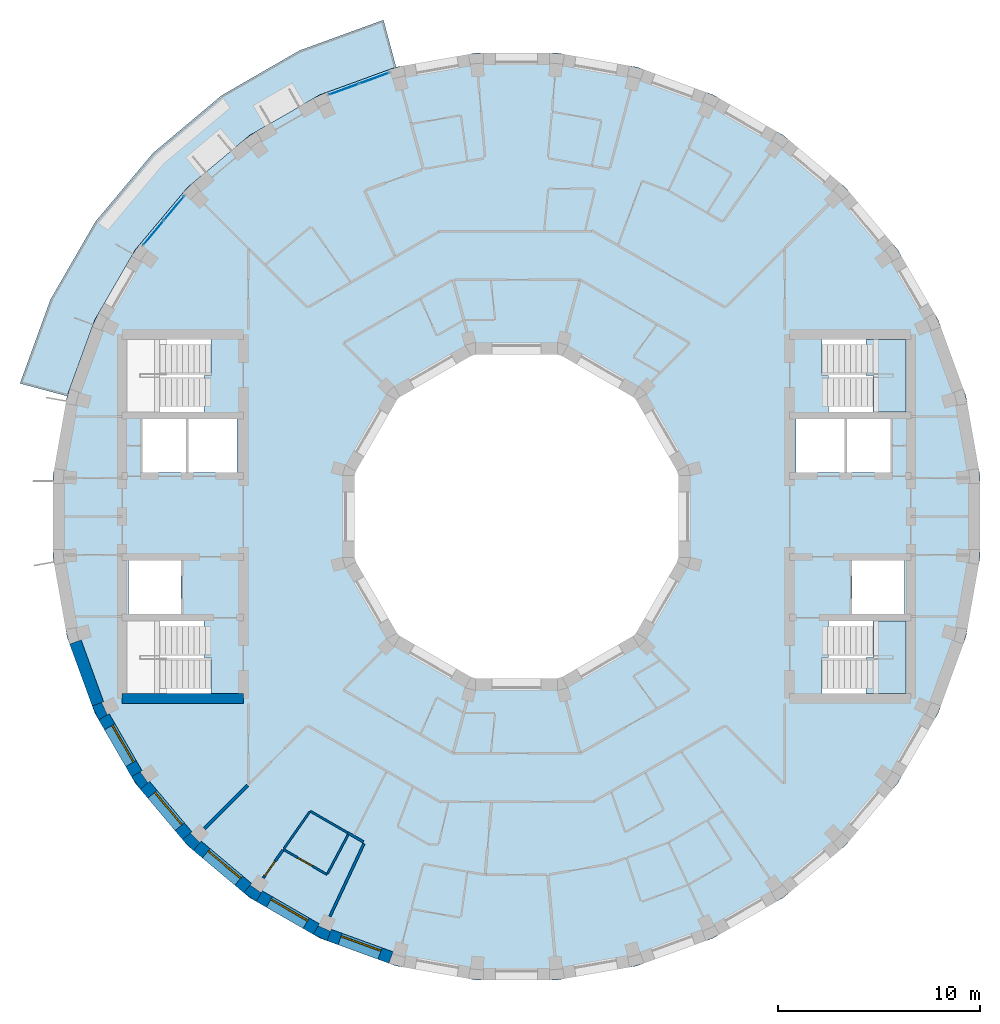
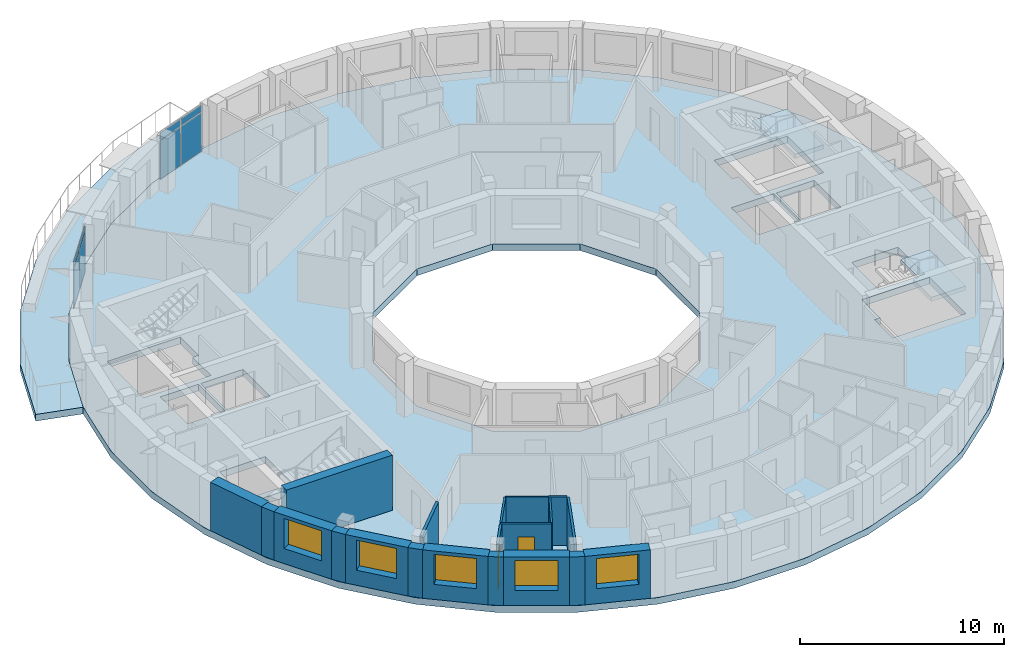
# One storey, part 3 of 12: 20 walls, 8 plates, 5 windows, 4 slabs, 2 doors, 7 openings, 4 elements without a shape of their own.
"""IFC4 building model written with IfcOpenShell, lengths in metres."""

from ifc_helpers import new_model, si_unit, direction, frame, frame_2d, origin, origin_2d, place, context, subcontext, project, spatial, polyline, rectangle, outline, extrude, material, layer, layer_set, type_object, element, fill, aggregate, save


model = new_model("IFC4")

# Units and contexts
model_context = context("Model", 3, precision=1e-05, world=origin(), true_north=direction((0.0, 1.0)))
body_context = subcontext(model_context, "Body", "Model", "MODEL_VIEW")
ifc_project = project(units=[si_unit("LENGTHUNIT", "METRE"), si_unit("AREAUNIT", "SQUARE_METRE"), si_unit("VOLUMEUNIT", "CUBIC_METRE"), si_unit("PLANEANGLEUNIT", "RADIAN"), si_unit("MASSUNIT", "GRAM", prefix="KILO")], contexts=[model_context])

# Site, building, storey
site_placement = place(None, origin())
site = spatial("IfcSite", under=ifc_project, at=site_placement, CompositionType="ELEMENT")
building_placement = place(site_placement, origin())
building = spatial("IfcBuilding", under=site, at=building_placement, Name="Saqina Gate Tower", CompositionType="ELEMENT")
storey_placement = place(building_placement, frame((0.0, 0.0, 236.300048828125)))
storey = spatial("IfcBuildingStorey", under=building, at=storey_placement, Name="L67", CompositionType="ELEMENT", Elevation=236.300048828125)

# Curtain wall, plates
ifc_material_1 = material(Name="Aluminium glazing", Category="aluminium")
ifc_layer_1 = layer(ifc_material_1, 0.159912109375)
ifc_layer_set_1 = layer_set([ifc_layer_1], Name="CWT-4")
curtain_wall_type = type_object("IfcCurtainWallType", Name="CWT-4", PredefinedType="NOTDEFINED", material=ifc_layer_set_1)
curtain_wall_1_placement = place(storey_placement, origin())
curtain_wall_1 = element("IfcCurtainWall", 1, at=curtain_wall_1_placement, inside=storey, type_object=curtain_wall_type, Name="Terrace lounge glazing facet 11", PredefinedType="NOTDEFINED")
ifc_material_2 = material(Name="Glass", Category="glass")
ifc_layer_2 = layer(ifc_material_2, 0.028076171875)
ifc_layer_set_2 = layer_set([ifc_layer_2], Name="CWT-4P")
plate_type = type_object("IfcPlateType", Name="CWT-4P", PredefinedType="CURTAIN_PANEL", material=ifc_layer_set_2)
plate_1_placement = place(storey_placement, frame((-7.035400390625, 21.66259765625, 0.059814453125), z_axis=(0.0, 0.0, 1.0), x_axis=(-0.939697310402, -0.342007258437, 0.0)))
plate_1 = element("IfcPlate", 2, at=plate_1_placement, type_object=plate_type, Name="CW4-11 panel 1.1", PredefinedType="CURTAIN_PANEL", context=body_context, shape_type="SweptSolid", body=[
    extrude(rectangle(XDim=1.535888671875, YDim=0.028076171875, at=origin_2d()), origin(), (0.0, 0.0, 1.0), 2.31005859375),
])
plate_2_placement = place(storey_placement, frame((-7.035400390625, 21.66259765625, 2.43017578125), z_axis=(0.0, 0.0, 1.0), x_axis=(-0.939697310402, -0.342007258437, 0.0)))
plate_2 = element("IfcPlate", 3, at=plate_2_placement, type_object=plate_type, Name="CW4-11 panel 1.2", PredefinedType="CURTAIN_PANEL", context=body_context, shape_type="SweptSolid", body=[
    extrude(rectangle(XDim=1.535888671875, YDim=0.028076171875, at=origin_2d()), origin(), (0.0, 0.0, 1.0), 0.409912109375),
])
plate_3_placement = place(storey_placement, frame((-8.534912109375, 21.116943359375, 0.059814453125), z_axis=(0.0, 0.0, 1.0), x_axis=(-0.939697310402, -0.342007258437, 0.0)))
plate_3 = element("IfcPlate", 4, at=plate_3_placement, type_object=plate_type, Name="CW4-11 panel 2.1", PredefinedType="CURTAIN_PANEL", context=body_context, shape_type="SweptSolid", body=[
    extrude(rectangle(XDim=1.535888671875, YDim=0.028076171875, at=origin_2d()), origin(), (0.0, 0.0, 1.0), 2.31005859375),
])
plate_4_placement = place(storey_placement, frame((-8.534912109375, 21.116943359375, 2.43017578125), z_axis=(0.0, 0.0, 1.0), x_axis=(-0.939697310402, -0.342007258437, 0.0)))
plate_4 = element("IfcPlate", 5, at=plate_4_placement, type_object=plate_type, Name="CW4-11 panel 2.2", PredefinedType="CURTAIN_PANEL", context=body_context, shape_type="SweptSolid", body=[
    extrude(rectangle(XDim=1.535888671875, YDim=0.028076171875, at=origin_2d()), origin(), (0.0, 0.0, 1.0), 0.409912109375),
])
aggregate(curtain_wall_1, [plate_1, plate_2, plate_3, plate_4])

curtain_wall_2_placement = place(storey_placement, origin())
curtain_wall_2 = element("IfcCurtainWall", 6, at=curtain_wall_2_placement, inside=storey, type_object=curtain_wall_type, Name="Terrace lounge glazing facet 14", PredefinedType="NOTDEFINED")
plate_5_placement = place(storey_placement, frame((-16.924072265625, 15.24267578125, 0.059814453125), z_axis=(0.0, 0.0, 1.0), x_axis=(-0.642785214609, -0.766046452821, 0.0)))
plate_5 = element("IfcPlate", 7, at=plate_5_placement, type_object=plate_type, Name="CW4-14 panel 1.1", PredefinedType="CURTAIN_PANEL", context=body_context, shape_type="SweptSolid", body=[
    extrude(rectangle(XDim=1.535888671875, YDim=0.028076171875, at=origin_2d()), origin(), (0.0, 0.0, 1.0), 2.31005859375),
])
plate_6_placement = place(storey_placement, frame((-16.924072265625, 15.24267578125, 2.43017578125), z_axis=(0.0, 0.0, 1.0), x_axis=(-0.642785214609, -0.766046452821, 0.0)))
plate_6 = element("IfcPlate", 8, at=plate_6_placement, type_object=plate_type, Name="CW4-14 panel 1.2", PredefinedType="CURTAIN_PANEL", context=body_context, shape_type="SweptSolid", body=[
    extrude(rectangle(XDim=1.535888671875, YDim=0.028076171875, at=origin_2d()), origin(), (0.0, 0.0, 1.0), 0.409912109375),
])
plate_7_placement = place(storey_placement, frame((-17.949951171875, 14.020263671875, 0.059814453125), z_axis=(0.0, 0.0, 1.0), x_axis=(-0.642785214609, -0.766046452821, 0.0)))
plate_7 = element("IfcPlate", 9, at=plate_7_placement, type_object=plate_type, Name="CW4-14 panel 2.1", PredefinedType="CURTAIN_PANEL", context=body_context, shape_type="SweptSolid", body=[
    extrude(rectangle(XDim=1.535888671875, YDim=0.028076171875, at=origin_2d()), origin(), (0.0, 0.0, 1.0), 2.31005859375),
])
plate_8_placement = place(storey_placement, frame((-17.949951171875, 14.020263671875, 2.43017578125), z_axis=(0.0, 0.0, 1.0), x_axis=(-0.642785214609, -0.766046452821, 0.0)))
plate_8 = element("IfcPlate", 10, at=plate_8_placement, type_object=plate_type, Name="CW4-14 panel 2.2", PredefinedType="CURTAIN_PANEL", context=body_context, shape_type="SweptSolid", body=[
    extrude(rectangle(XDim=1.535888671875, YDim=0.028076171875, at=origin_2d()), origin(), (0.0, 0.0, 1.0), 0.409912109375),
])
aggregate(curtain_wall_2, [plate_5, plate_6, plate_7, plate_8])

# Stair, slab
ifc_material_3 = material(Name="Concrete C40/50", Category="concrete")
stair_type = type_object("IfcStairType", Name="EXIT STAIR", PredefinedType="HALF_TURN_STAIR", material=ifc_material_3)
stair_1_placement = place(storey_placement, origin())
stair_1 = element("IfcStair", 11, at=stair_1_placement, inside=storey, type_object=stair_type, Name="EXIT STAIR 1", PredefinedType="HALF_TURN_STAIR")
ifc_material_4 = material(Name="Concrete C40/50", Category="concrete")
ifc_layer_3 = layer(ifc_material_4, 0.25)
ifc_layer_set_3 = layer_set([ifc_layer_3], Name="Concrete C40/50")
slab_type_1 = type_object("IfcSlabType", Name="EXIT STAIR LANDING", PredefinedType="LANDING", material=ifc_layer_set_3)
slab_1_placement = place(storey_placement, frame((0.0, 0.0, 1.39990234375)))
slab_1 = element("IfcSlab", 12, at=slab_1_placement, type_object=slab_type_1, Name="EXIT STAIR 1 LANDING 1", PredefinedType="LANDING", context=body_context, shape_type="SweptSolid", body=[
    extrude(outline(polyline([(19.25, 8.75), (19.25, 5.175048828125), (17.614990234375, 5.175048828125), (17.614990234375, 6.96240234375), (17.284423828125, 6.96240234375), (17.284423828125, 8.75), (17.614990234375, 8.75), (17.6201171875, 8.75), (19.25, 8.75)])), origin(), (0.0, 0.0, 1.0), 0.25),
])
aggregate(stair_1, [slab_1])

stair_2_placement = place(storey_placement, origin())
stair_2 = element("IfcStair", 13, at=stair_2_placement, inside=storey, type_object=stair_type, Name="EXIT STAIR 2", PredefinedType="HALF_TURN_STAIR")
slab_2_placement = place(storey_placement, frame((0.0, 0.0, 1.39990234375)))
slab_2 = element("IfcSlab", 14, at=slab_2_placement, type_object=slab_type_1, Name="EXIT STAIR 2 LANDING 1", PredefinedType="LANDING", context=body_context, shape_type="SweptSolid", body=[
    extrude(outline(polyline([(17.284423828125, -8.75), (17.284423828125, -6.96240234375), (17.614990234375, -6.96240234375), (17.614990234375, -5.175048828125), (19.25, -5.175048828125), (19.25, -8.75), (17.6201171875, -8.75), (17.614990234375, -8.75), (17.284423828125, -8.75)])), origin(), (0.0, 0.0, 1.0), 0.25),
])
aggregate(stair_2, [slab_2])

# Slabs
ifc_material_5 = material(Name="Concrete C40/50", Category="concrete")
ifc_layer_4 = layer(ifc_material_5, 0.39990234375)
ifc_layer_set_4 = layer_set([ifc_layer_4], Name="Concrete C40/50")
slab_type_2 = type_object("IfcSlabType", Name="STR-POST-TENSIONED FLAT PLATE FLOOR-400", PredefinedType="FLOOR", material=ifc_layer_set_4)
slab_3_placement = place(storey_placement, frame((0.0, 0.0, -0.400146484375)))
element("IfcSlab", 15, at=slab_3_placement, inside=storey, type_object=slab_type_2, Name="L67-SLB01", PredefinedType="FLOOR", context=body_context, shape_type="SweptSolid", body=[
    extrude(outline(polyline([(22.21630859375, -5.952880859375), (22.91259765625, -2.004638671875), (22.91259765625, 2.004638671875), (22.21630859375, 5.952880859375), (20.844970703125, 9.72021484375), (18.840576171875, 13.192138671875), (16.263427734375, 16.263427734375), (13.192138671875, 18.840576171875), (9.72021484375, 20.844970703125), (5.952880859375, 22.21630859375), (2.004638671875, 22.91259765625), (-2.004638671875, 22.91259765625), (-5.952880859375, 22.21630859375), (-9.72021484375, 20.844970703125), (-13.192138671875, 18.840576171875), (-16.263427734375, 16.263427734375), (-18.840576171875, 13.192138671875), (-20.844970703125, 9.72021484375), (-22.21630859375, 5.952880859375), (-22.91259765625, 2.004638671875), (-22.91259765625, -2.004638671875), (-22.21630859375, -5.952880859375), (-20.844970703125, -9.72021484375), (-18.840576171875, -13.192138671875), (-16.263427734375, -16.263427734375), (-13.192138671875, -18.840576171875), (-9.72021484375, -20.844970703125), (-5.952880859375, -22.21630859375), (-2.004638671875, -22.91259765625), (2.004638671875, -22.91259765625), (5.952880859375, -22.21630859375), (9.72021484375, -20.844970703125), (13.192138671875, -18.840576171875), (16.263427734375, -16.263427734375), (18.840576171875, -13.192138671875), (20.844970703125, -9.72021484375), (22.21630859375, -5.952880859375)]), holes=[polyline([(2.1435546875, 8.0), (5.8564453125, 5.8564453125), (8.0, 2.1435546875), (8.0, -2.1435546875), (5.8564453125, -5.8564453125), (2.1435546875, -8.0), (-2.1435546875, -8.0), (-5.8564453125, -5.8564453125), (-8.0, -2.1435546875), (-8.0, 2.1435546875), (-5.8564453125, 5.8564453125), (-2.1435546875, 8.0), (2.1435546875, 8.0)]), polyline([(-15.10498046875, -8.75), (-19.25, -8.75), (-19.25, -6.96240234375), (-19.25, -5.175048828125), (-15.435546875, -5.175048828125), (-15.435546875, -6.96240234375), (-15.10498046875, -6.96240234375), (-15.10498046875, -8.75)]), polyline([(-16.590087890625, -2.175048828125), (-16.590087890625, -4.824951171875), (-19.18994140625, -4.824951171875), (-19.18994140625, -2.175048828125), (-16.590087890625, -2.175048828125)]), polyline([(-16.340087890625, 4.824951171875), (-16.340087890625, 2.175048828125), (-18.5, 2.175048828125), (-18.5, 4.824951171875), (-16.340087890625, 4.824951171875)]), polyline([(-13.81005859375, 4.824951171875), (-13.81005859375, 2.175048828125), (-16.219970703125, 2.175048828125), (-16.219970703125, 4.824951171875), (-13.81005859375, 4.824951171875)]), polyline([(-19.25, 6.96240234375), (-19.25, 8.75), (-15.10498046875, 8.75), (-15.10498046875, 6.96240234375), (-15.435546875, 6.96240234375), (-15.435546875, 5.175048828125), (-19.25, 5.175048828125), (-19.25, 6.96240234375)]), polyline([(15.10498046875, -8.75), (15.10498046875, -6.96240234375), (15.435546875, -6.96240234375), (15.435546875, -5.175048828125), (19.25, -5.175048828125), (19.25, -6.96240234375), (19.25, -8.75), (15.10498046875, -8.75)]), polyline([(19.18994140625, -2.175048828125), (19.18994140625, -4.824951171875), (16.590087890625, -4.824951171875), (16.590087890625, -2.175048828125), (19.18994140625, -2.175048828125)]), polyline([(16.219970703125, 4.824951171875), (16.219970703125, 2.175048828125), (13.81005859375, 2.175048828125), (13.81005859375, 4.824951171875), (16.219970703125, 4.824951171875)]), polyline([(18.5, 4.824951171875), (18.5, 2.175048828125), (16.340087890625, 2.175048828125), (16.340087890625, 4.824951171875), (18.5, 4.824951171875)]), polyline([(15.435546875, 6.96240234375), (15.10498046875, 6.96240234375), (15.10498046875, 8.75), (19.25, 8.75), (19.25, 6.96240234375), (19.25, 5.175048828125), (15.435546875, 5.175048828125), (15.435546875, 6.96240234375)])]), origin(), (0.0, 0.0, 1.0), 0.400146484375),
])
ifc_material_6 = material(Name="Concrete C40/50", Category="concrete")
ifc_layer_5 = layer(ifc_material_6, 0.39990234375)
ifc_layer_set_5 = layer_set([ifc_layer_5], Name="Concrete C40/50")
slab_type_3 = type_object("IfcSlabType", Name="STR-POST-TENSIONED FLAT PLATE TERRACE-400", PredefinedType="FLOOR", material=ifc_layer_set_5)
slab_4_placement = place(storey_placement, frame((0.0, 0.0, -0.400146484375)))
element("IfcSlab", 16, at=slab_4_placement, inside=storey, type_object=slab_type_3, Name="L67-TRS01", PredefinedType="FLOOR", context=body_context, shape_type="SweptSolid", body=[
    extrude(outline(polyline([(-5.952880859375, 22.21630859375), (-9.72021484375, 20.844970703125), (-13.192138671875, 18.840576171875), (-16.263427734375, 16.263427734375), (-18.840576171875, 13.192138671875), (-20.844970703125, 9.72021484375), (-22.21630859375, 5.952880859375), (-24.54345703125, 6.576416015625), (-23.028564453125, 10.73828125), (-20.81396484375, 14.57421875), (-17.967041015625, 17.967041015625), (-14.57421875, 20.81396484375), (-10.73828125, 23.028564453125), (-6.576416015625, 24.54345703125), (-5.952880859375, 22.21630859375)])), origin(), (0.0, 0.0, 1.0), 0.400146484375),
])

# Walls
ifc_material_7 = material(Name="Brick masonry (buff)", Category="masonry")
wall_type_1 = type_object("IfcWallType", Name="BRICK PIER COPING BUFF", PredefinedType="SOLIDWALL", material=ifc_material_7)
wall_1_placement = place(storey_placement, origin())
element("IfcWall", 17, at=wall_1_placement, inside=storey, type_object=wall_type_1, Name="Pier cap L67 column 21", PredefinedType="SOLIDWALL", context=body_context, shape_type="SweptSolid", body=[
    extrude(outline(polyline([(-20.974609375, -9.3642578125), (-20.65576171875, -10.048095703125), (-20.135986328125, -9.748291015625), (-20.23193359375, -9.79296875), (-20.506591796875, -9.203857421875), (-20.410888671875, -9.1591796875), (-20.974609375, -9.3642578125)])), origin(), (0.0, 0.0, 1.0), 2.89990234375),
])
wall_2_placement = place(storey_placement, origin())
element("IfcWall", 18, at=wall_2_placement, inside=storey, type_object=wall_type_1, Name="Pier cap L67 column 22", PredefinedType="SOLIDWALL", context=body_context, shape_type="SweptSolid", body=[
    extrude(outline(polyline([(-19.02978515625, -12.8642578125), (-18.59716796875, -13.482421875), (-18.137451171875, -13.0966796875), (-18.22412109375, -13.157470703125), (-18.596923828125, -12.625), (-18.51025390625, -12.564208984375), (-19.02978515625, -12.8642578125)])), origin(), (0.0, 0.0, 1.0), 2.89990234375),
])
wall_3_placement = place(storey_placement, origin())
element("IfcWall", 19, at=wall_3_placement, inside=storey, type_object=wall_type_1, Name="Pier cap L67 column 23", PredefinedType="SOLIDWALL", context=body_context, shape_type="SweptSolid", body=[
    extrude(outline(polyline([(-15.973388671875, -16.5068359375), (-15.587646484375, -16.04736328125), (-15.662353515625, -16.1220703125), (-16.1220703125, -15.662353515625), (-16.04736328125, -15.587646484375), (-16.5068359375, -15.973388671875), (-15.973388671875, -16.5068359375)])), origin(), (0.0, 0.0, 1.0), 2.89990234375),
])
wall_4_placement = place(storey_placement, origin())
element("IfcWall", 20, at=wall_4_placement, inside=storey, type_object=wall_type_1, Name="Pier cap L67 column 24", PredefinedType="SOLIDWALL", context=body_context, shape_type="SweptSolid", body=[
    extrude(outline(polyline([(-12.8642578125, -19.02978515625), (-12.564208984375, -18.51025390625), (-12.625, -18.596923828125), (-13.157470703125, -18.22412109375), (-13.0966796875, -18.137451171875), (-13.482421875, -18.59716796875), (-12.8642578125, -19.02978515625)])), origin(), (0.0, 0.0, 1.0), 2.89990234375),
])
wall_5_placement = place(storey_placement, origin())
element("IfcWall", 21, at=wall_5_placement, inside=storey, type_object=wall_type_1, Name="Pier cap L67 column 25", PredefinedType="SOLIDWALL", context=body_context, shape_type="SweptSolid", body=[
    extrude(outline(polyline([(-10.048095703125, -20.65576171875), (-9.3642578125, -20.974609375), (-9.1591796875, -20.410888671875), (-9.203857421875, -20.506591796875), (-9.79296875, -20.23193359375), (-9.748291015625, -20.135986328125), (-10.048095703125, -20.65576171875)])), origin(), (0.0, 0.0, 1.0), 2.89990234375),
])

# Wall, opening, window
ifc_material_8 = material(Name="Brick masonry (buff)", Category="masonry")
ifc_layer_6 = layer(ifc_material_8, 0.60009765625)
ifc_layer_set_6 = layer_set([ifc_layer_6], Name="FW-BRICK-BUFF")
wall_type_2 = type_object("IfcWallType", Name="FW-BRICK-BUFF", PredefinedType="SOLIDWALL", material=ifc_layer_set_6)
wall_6_placement = place(storey_placement, frame((-20.39599609375, -9.898193359375, 0.0), z_axis=(0.0, 0.0, 1.0), x_axis=(0.500014901547, -0.866016800201, 0.0)))
wall_6 = element("IfcWall", 22, at=wall_6_placement, inside=storey, type_object=wall_type_2, Name="Facade wall L67 facet 21", PredefinedType="SOLIDWALL", context=body_context, shape_type="SweptSolid", body=[
    extrude(rectangle(XDim=3.251953125, YDim=0.60009765625, at=frame_2d((1.6259765625, 0.0))), origin(), (0.0, 0.0, 1.0), 2.89990234375),
])
opening_1_placement = place(wall_6_placement, frame((0.57568359375, 0.0, 0.89990234375)))
opening_1 = element("IfcOpeningElement", 23, at=opening_1_placement, cuts=wall_6, Name="Opening G19-W10", PredefinedType="OPENING", context=body_context, shape_type="SweptSolid", body=[
    extrude(rectangle(XDim=2.10009765625, YDim=1.800048828125, at=frame_2d((1.050048828125, 0.89990234375))), frame((0.0, 0.31201171875, 0.0), z_axis=(0.0, -1.0, 0.0), x_axis=(1.0, 0.0, 0.0)), (0.0, 0.0, 1.0), 0.6240234375),
])
ifc_material_9 = material(Name="Aluminium glazing", Category="aluminium")
window_type = type_object("IfcWindowType", Name="WN-D", PartitioningType="SINGLE_PANEL", PredefinedType="WINDOW", material=ifc_material_9)
window_1_placement = place(opening_1_placement, origin())
window_1 = element("IfcWindow", 24, at=window_1_placement, inside=storey, type_object=window_type, Name="Window L67 facet 21", OverallHeight=1.800048828125, OverallWidth=2.10009765625, PartitioningType="SINGLE_PANEL", PredefinedType="WINDOW", context=body_context, shape_type="SweptSolid", body=[
    extrude(rectangle(XDim=2.10009765625, YDim=1.800048828125, at=frame_2d((1.050048828125, 0.89990234375))), frame((0.0, 0.179931640625, 0.0), z_axis=(0.0, -1.0, 0.0), x_axis=(1.0, 0.0, 0.0)), (0.0, 0.0, 1.0), 0.06005859375),
])
fill(opening_1, window_1)

wall_7_placement = place(storey_placement, frame((-18.3671875, -13.28955078125, 0.0), z_axis=(0.0, 0.0, 1.0), x_axis=(0.64277291405, -0.766056773982, 0.0)))
wall_7 = element("IfcWall", 25, at=wall_7_placement, inside=storey, type_object=wall_type_2, Name="Facade wall L67 facet 22", PredefinedType="SOLIDWALL", context=body_context, shape_type="SweptSolid", body=[
    extrude(rectangle(XDim=3.251708984375, YDim=0.60009765625, at=frame_2d((1.6259765625, 0.0))), origin(), (0.0, 0.0, 1.0), 2.89990234375),
])
opening_2_placement = place(wall_7_placement, frame((0.57568359375, 0.0, 0.89990234375)))
opening_2 = element("IfcOpeningElement", 26, at=opening_2_placement, cuts=wall_7, Name="Opening G19-W11", PredefinedType="OPENING", context=body_context, shape_type="SweptSolid", body=[
    extrude(rectangle(XDim=2.10009765625, YDim=1.800048828125, at=frame_2d((1.050048828125, 0.89990234375))), frame((0.0, 0.31201171875, 0.0), z_axis=(0.0, -1.0, 0.0), x_axis=(1.0, 0.0, 0.0)), (0.0, 0.0, 1.0), 0.6240234375),
])
window_2_placement = place(opening_2_placement, origin())
window_2 = element("IfcWindow", 27, at=window_2_placement, inside=storey, type_object=window_type, Name="Window L67 facet 22", OverallHeight=1.800048828125, OverallWidth=2.10009765625, PartitioningType="SINGLE_PANEL", PredefinedType="WINDOW", context=body_context, shape_type="SweptSolid", body=[
    extrude(rectangle(XDim=2.10009765625, YDim=1.800048828125, at=frame_2d((1.050048828125, 0.89990234375))), frame((0.0, 0.179931640625, 0.0), z_axis=(0.0, -1.0, 0.0), x_axis=(1.0, 0.0, 0.0)), (0.0, 0.0, 1.0), 0.06005859375),
])
fill(opening_2, window_2)

wall_8_placement = place(storey_placement, frame((-15.780517578125, -16.277099609375, 0.0), z_axis=(0.0, 0.0, 1.0), x_axis=(0.766056773982, -0.64277291405, 0.0)))
wall_8 = element("IfcWall", 28, at=wall_8_placement, inside=storey, type_object=wall_type_2, Name="Facade wall L67 facet 23", PredefinedType="SOLIDWALL", context=body_context, shape_type="SweptSolid", body=[
    extrude(rectangle(XDim=3.251708984375, YDim=0.60009765625, at=frame_2d((1.6259765625, 0.0))), origin(), (0.0, 0.0, 1.0), 2.89990234375),
])
opening_3_placement = place(wall_8_placement, frame((0.57568359375, 0.0, 0.89990234375)))
opening_3 = element("IfcOpeningElement", 29, at=opening_3_placement, cuts=wall_8, Name="Opening G19-W12", PredefinedType="OPENING", context=body_context, shape_type="SweptSolid", body=[
    extrude(rectangle(XDim=2.10009765625, YDim=1.800048828125, at=frame_2d((1.050048828125, 0.89990234375))), frame((0.0, 0.31201171875, 0.0), z_axis=(0.0, -1.0, 0.0), x_axis=(1.0, 0.0, 0.0)), (0.0, 0.0, 1.0), 0.6240234375),
])
window_3_placement = place(opening_3_placement, origin())
window_3 = element("IfcWindow", 30, at=window_3_placement, inside=storey, type_object=window_type, Name="Window L67 facet 23", OverallHeight=1.800048828125, OverallWidth=2.10009765625, PartitioningType="SINGLE_PANEL", PredefinedType="WINDOW", context=body_context, shape_type="SweptSolid", body=[
    extrude(rectangle(XDim=2.10009765625, YDim=1.800048828125, at=frame_2d((1.050048828125, 0.89990234375))), frame((0.0, 0.179931640625, 0.0), z_axis=(0.0, -1.0, 0.0), x_axis=(1.0, 0.0, 0.0)), (0.0, 0.0, 1.0), 0.06005859375),
])
fill(opening_3, window_3)

wall_9_placement = place(storey_placement, frame((-12.71435546875, -18.77001953125, 0.0), z_axis=(0.0, 0.0, 1.0), x_axis=(0.866016800201, -0.500014901547, 0.0)))
wall_9 = element("IfcWall", 31, at=wall_9_placement, inside=storey, type_object=wall_type_2, Name="Facade wall L67 facet 24", PredefinedType="SOLIDWALL", context=body_context, shape_type="SweptSolid", body=[
    extrude(rectangle(XDim=3.251953125, YDim=0.60009765625, at=frame_2d((1.6259765625, 0.0))), origin(), (0.0, 0.0, 1.0), 2.89990234375),
])
opening_4_placement = place(wall_9_placement, frame((0.57568359375, 0.0, 0.89990234375)))
opening_4 = element("IfcOpeningElement", 32, at=opening_4_placement, cuts=wall_9, Name="Opening G19-W13", PredefinedType="OPENING", context=body_context, shape_type="SweptSolid", body=[
    extrude(rectangle(XDim=2.10009765625, YDim=1.800048828125, at=frame_2d((1.050048828125, 0.89990234375))), frame((0.0, 0.31201171875, 0.0), z_axis=(0.0, -1.0, 0.0), x_axis=(1.0, 0.0, 0.0)), (0.0, 0.0, 1.0), 0.6240234375),
])
window_4_placement = place(opening_4_placement, origin())
window_4 = element("IfcWindow", 33, at=window_4_placement, inside=storey, type_object=window_type, Name="Window L67 facet 24", OverallHeight=1.800048828125, OverallWidth=2.10009765625, PartitioningType="SINGLE_PANEL", PredefinedType="WINDOW", context=body_context, shape_type="SweptSolid", body=[
    extrude(rectangle(XDim=2.10009765625, YDim=1.800048828125, at=frame_2d((1.050048828125, 0.89990234375))), frame((0.0, 0.179931640625, 0.0), z_axis=(0.0, -1.0, 0.0), x_axis=(1.0, 0.0, 0.0)), (0.0, 0.0, 1.0), 0.06005859375),
])
fill(opening_4, window_4)

wall_10_placement = place(storey_placement, frame((-9.26171875, -20.692626953125, 0.0), z_axis=(0.0, 0.0, 1.0), x_axis=(0.939679383794, -0.342056509473, 0.0)))
wall_10 = element("IfcWall", 34, at=wall_10_placement, inside=storey, type_object=wall_type_2, Name="Facade wall L67 facet 25", PredefinedType="SOLIDWALL", context=body_context, shape_type="SweptSolid", body=[
    extrude(rectangle(XDim=3.251708984375, YDim=0.60009765625, at=frame_2d((1.6259765625, 0.0))), origin(), (0.0, 0.0, 1.0), 2.89990234375),
])
opening_5_placement = place(wall_10_placement, frame((0.57568359375, 0.0, 0.89990234375)))
opening_5 = element("IfcOpeningElement", 35, at=opening_5_placement, cuts=wall_10, Name="Opening G19-W14", PredefinedType="OPENING", context=body_context, shape_type="SweptSolid", body=[
    extrude(rectangle(XDim=2.10009765625, YDim=1.800048828125, at=frame_2d((1.050048828125, 0.89990234375))), frame((0.0, 0.31201171875, 0.0), z_axis=(0.0, -1.0, 0.0), x_axis=(1.0, 0.0, 0.0)), (0.0, 0.0, 1.0), 0.6240234375),
])
window_5_placement = place(opening_5_placement, origin())
window_5 = element("IfcWindow", 36, at=window_5_placement, inside=storey, type_object=window_type, Name="Window L67 facet 25", OverallHeight=1.800048828125, OverallWidth=2.10009765625, PartitioningType="SINGLE_PANEL", PredefinedType="WINDOW", context=body_context, shape_type="SweptSolid", body=[
    extrude(rectangle(XDim=2.10009765625, YDim=1.800048828125, at=frame_2d((1.050048828125, 0.89990234375))), frame((0.0, 0.179931640625, 0.0), z_axis=(0.0, -1.0, 0.0), x_axis=(1.0, 0.0, 0.0)), (0.0, 0.0, 1.0), 0.06005859375),
])
fill(opening_5, window_5)

# Wall
ifc_material_10 = material(Name="Glazed ceramic tile", Category="ceramic")
ifc_layer_7 = layer(ifc_material_10, 0.60009765625)
ifc_layer_set_7 = layer_set([ifc_layer_7], Name="FW-TILE")
wall_type_3 = type_object("IfcWallType", Name="FW-TILE", PredefinedType="SOLIDWALL", material=ifc_layer_set_7)
wall_11_placement = place(storey_placement, frame((-21.804931640625, -6.2060546875, 0.0), z_axis=(0.0, 0.0, 1.0), x_axis=(0.342056509473, -0.939679383794, 0.0)))
element("IfcWall", 37, at=wall_11_placement, inside=storey, type_object=wall_type_3, Name="Facade wall L67 facet 20", PredefinedType="SOLIDWALL", context=body_context, shape_type="SweptSolid", body=[
    extrude(rectangle(XDim=3.251708984375, YDim=0.60009765625, at=frame_2d((1.6259765625, 0.0))), origin(), (0.0, 0.0, 1.0), 2.89990234375),
])

# Wall, opening, door
ifc_material_11 = material(Name="Gypsum board on steel studs, 100 mm", Category="steel")
ifc_layer_8 = layer(ifc_material_11, 0.10009765625)
ifc_layer_set_8 = layer_set([ifc_layer_8], Name="PARTITION 100")
wall_type_4 = type_object("IfcWallType", Name="PARTITION 100", PredefinedType="PARTITIONING", material=ifc_layer_set_8)
wall_12_placement = place(storey_placement, frame((-11.52294921875, -16.4560546875, 0.0), z_axis=(0.0, 0.0, 1.0), x_axis=(0.866105605004, -0.499861061677, 0.0)))
wall_12 = element("IfcWall", 38, at=wall_12_placement, inside=storey, type_object=wall_type_4, Name="PARTITION PW3-13", PredefinedType="PARTITIONING", context=body_context, shape_type="SweptSolid", body=[
    extrude(rectangle(XDim=2.490478515625, YDim=0.10009765625, at=frame_2d((1.2451171875, 0.0))), origin(), (0.0, 0.0, 1.0), 2.89990234375),
])
opening_6_placement = place(wall_12_placement, frame((0.84521484375, 0.0, 0.0)))
opening_6 = element("IfcOpeningElement", 39, at=opening_6_placement, cuts=wall_12, Name="Opening G19-D25", PredefinedType="OPENING", context=body_context, shape_type="SweptSolid", body=[
    extrude(rectangle(XDim=0.800048828125, YDim=2.10009765625, at=frame_2d((0.39990234375, 1.050048828125))), frame((0.0, 0.06201171875, 0.0), z_axis=(0.0, -1.0, 0.0), x_axis=(1.0, 0.0, 0.0)), (0.0, 0.0, 1.0), 0.1240234375),
])
ifc_material_12 = material(Name="Timber door leaf, 800 mm", Category="wood")
door_type_1 = type_object("IfcDoorType", Name="DOOR 800 TIMBER", OperationType="SINGLE_SWING_LEFT", PredefinedType="DOOR", material=ifc_material_12)
door_1_placement = place(opening_6_placement, frame((0.800048828125, 0.0, 0.0), z_axis=(0.0, 0.0, 1.0), x_axis=(-1.0, 0.0, 0.0)))
door_1 = element("IfcDoor", 40, at=door_1_placement, inside=storey, type_object=door_type_1, Name="DOOR G19-D25", OperationType="SINGLE_SWING_LEFT", OverallHeight=2.10009765625, OverallWidth=0.800048828125, PredefinedType="DOOR", context=body_context, shape_type="SweptSolid", body=[
    extrude(rectangle(XDim=0.800048828125, YDim=2.10009765625, at=frame_2d((0.39990234375, 1.050048828125))), frame((0.0, 0.02490234375, 0.0), z_axis=(0.0, -1.0, 0.0), x_axis=(1.0, 0.0, 0.0)), (0.0, 0.0, 1.0), 0.050048828125),
])
fill(opening_6, door_1)

# Walls
wall_13_placement = place(storey_placement, frame((-10.1962890625, -14.56591796875, 0.0), z_axis=(0.0, 0.0, 1.0), x_axis=(0.866058298698, -0.49994302001, 0.0)))
element("IfcWall", 41, at=wall_13_placement, inside=storey, type_object=wall_type_4, Name="PARTITION PW3-14", PredefinedType="PARTITIONING", context=body_context, shape_type="SweptSolid", body=[
    extrude(rectangle(XDim=2.139892578125, YDim=0.10009765625, at=frame_2d((1.06982421875, 0.0))), origin(), (0.0, 0.0, 1.0), 2.89990234375),
])
wall_14_placement = place(storey_placement, frame((-11.494384765625, -16.4150390625, 0.0), z_axis=(0.0, 0.0, 1.0), x_axis=(0.573833166693, 0.818972219799, 0.0)))
element("IfcWall", 42, at=wall_14_placement, inside=storey, type_object=wall_type_4, Name="PARTITION PW3-40", PredefinedType="PARTITIONING", context=body_context, shape_type="SweptSolid", body=[
    extrude(rectangle(XDim=2.208984375, YDim=0.10009765625, at=frame_2d((1.1044921875, 0.0))), origin(), (0.0, 0.0, 1.0), 2.89990234375),
])
wall_15_placement = place(storey_placement, frame((-9.342529296875, -17.65673828125, 0.0), z_axis=(0.0, 0.0, 1.0), x_axis=(0.467882595904, 0.883790629307, 0.0)))
element("IfcWall", 43, at=wall_15_placement, inside=storey, type_object=wall_type_4, Name="PARTITION PW3-42", PredefinedType="PARTITIONING", context=body_context, shape_type="SweptSolid", body=[
    extrude(rectangle(XDim=2.18896484375, YDim=0.10009765625, at=frame_2d((1.094482421875, 0.0))), origin(), (0.0, 0.0, 1.0), 2.89990234375),
])
ifc_material_13 = material(Name="Gypsum board on steel studs, 125 mm, fire rated", Category="steel")
ifc_layer_9 = layer(ifc_material_13, 0.125)
ifc_layer_set_9 = layer_set([ifc_layer_9], Name="PARTITION EI 30 125")
wall_type_5 = type_object("IfcWallType", Name="PARTITION EI 30 125", PredefinedType="PARTITIONING", material=ifc_layer_set_9)
wall_16_placement = place(storey_placement, frame((-8.342529296875, -15.634765625, 0.0), z_axis=(0.0, 0.0, 1.0), x_axis=(0.86407608966, -0.503361213521, 0.0)))
element("IfcWall", 44, at=wall_16_placement, inside=storey, type_object=wall_type_5, Name="PARTITION PW1-08", PredefinedType="PARTITIONING", context=body_context, shape_type="SweptSolid", body=[
    extrude(rectangle(XDim=0.893310546875, YDim=0.125, at=frame_2d((0.44677734375, 0.0))), origin(), (0.0, 0.0, 1.0), 2.89990234375),
])

# Wall, opening, door
wall_17_placement = place(storey_placement, frame((-12.5126953125, -17.86962890625, 0.0), z_axis=(0.0, 0.0, 1.0), x_axis=(0.573618789706, 0.819122386519, 0.0)))
wall_17 = element("IfcWall", 45, at=wall_17_placement, inside=storey, type_object=wall_type_5, Name="PARTITION PW1-33", PredefinedType="PARTITIONING", context=body_context, shape_type="SweptSolid", body=[
    extrude(rectangle(XDim=1.675537109375, YDim=0.125, at=frame_2d((0.837890625, 0.0))), origin(), (0.0, 0.0, 1.0), 2.89990234375),
])
opening_7_placement = place(wall_17_placement, frame((0.122802734375, 0.0, 0.0)))
opening_7 = element("IfcOpeningElement", 46, at=opening_7_placement, cuts=wall_17, Name="Opening G19-D24", PredefinedType="OPENING", context=body_context, shape_type="SweptSolid", body=[
    extrude(rectangle(XDim=0.89990234375, YDim=2.10009765625, at=frame_2d((0.449951171875, 1.050048828125))), frame((0.0, 0.074462890625, 0.0), z_axis=(0.0, -1.0, 0.0), x_axis=(1.0, 0.0, 0.0)), (0.0, 0.0, 1.0), 0.14892578125),
])
ifc_material_14 = material(Name="Fire door leaf EI 30, 900 mm")
door_type_2 = type_object("IfcDoorType", Name="DOOR 900 EI 30", OperationType="SINGLE_SWING_LEFT", PredefinedType="DOOR", material=ifc_material_14)
door_2_placement = place(opening_7_placement, origin())
door_2 = element("IfcDoor", 47, at=door_2_placement, inside=storey, type_object=door_type_2, Name="DOOR G19-D24", OperationType="SINGLE_SWING_LEFT", OverallHeight=2.10009765625, OverallWidth=0.89990234375, PredefinedType="DOOR", context=body_context, shape_type="SweptSolid", body=[
    extrude(rectangle(XDim=0.89990234375, YDim=2.10009765625, at=frame_2d((0.449951171875, 1.050048828125))), frame((0.0, 0.02490234375, 0.0), z_axis=(0.0, -1.0, 0.0), x_axis=(1.0, 0.0, 0.0)), (0.0, 0.0, 1.0), 0.050048828125),
])
fill(opening_7, door_2)

# Walls
wall_18_placement = place(storey_placement, frame((-9.222412109375, -19.769775390625, 0.0), z_axis=(0.0, 0.0, 1.0), x_axis=(0.423534651218, 0.905879903308, 0.0)))
element("IfcWall", 48, at=wall_18_placement, inside=storey, type_object=wall_type_5, Name="PARTITION PW1-35", PredefinedType="PARTITIONING", context=body_context, shape_type="SweptSolid", body=[
    extrude(rectangle(XDim=3.972900390625, YDim=0.125, at=frame_2d((1.986328125, 0.0))), origin(), (0.0, 0.0, 1.0), 2.89990234375),
])
ifc_material_15 = material(Name="Gypsum board on steel studs, 150 mm, fire rated", Category="steel")
ifc_layer_10 = layer(ifc_material_15, 0.14990234375)
ifc_layer_set_10 = layer_set([ifc_layer_10], Name="PARTITION EI 60 150")
wall_type_6 = type_object("IfcWallType", Name="PARTITION EI 60 150", PredefinedType="PARTITIONING", material=ifc_layer_set_10)
wall_19_placement = place(storey_placement, frame((-15.425537109375, -15.425537109375, 0.0), z_axis=(0.0, 0.0, 1.0), x_axis=(0.707106781187, 0.707106781187, 0.0)))
element("IfcWall", 49, at=wall_19_placement, inside=storey, type_object=wall_type_6, Name="PARTITION PW2-07", PredefinedType="PARTITIONING", context=body_context, shape_type="SweptSolid", body=[
    extrude(rectangle(XDim=3.01416015625, YDim=0.14990234375, at=frame_2d((1.507080078125, 0.0))), origin(), (0.0, 0.0, 1.0), 2.89990234375),
])
ifc_material_16 = material(Name="Concrete C60/75", Category="concrete")
ifc_layer_11 = layer(ifc_material_16, 0.5)
ifc_layer_set_11 = layer_set([ifc_layer_11], Name="Concrete C60/75")
wall_type_7 = type_object("IfcWallType", Name="STR-CORE WALL-D-O", PredefinedType="SHEAR", material=ifc_layer_set_11)
wall_20_placement = place(storey_placement, frame((-13.5, -9.0, 0.0), z_axis=(0.0, 0.0, 1.0), x_axis=(-1.0, 0.0, 0.0)))
element("IfcWall", 50, at=wall_20_placement, inside=storey, type_object=wall_type_7, Name="CORE WALL L67 W-SE", PredefinedType="SHEAR", context=body_context, shape_type="SweptSolid", body=[
    extrude(rectangle(XDim=6.0, YDim=0.5, at=frame_2d((3.0, 0.0))), origin(), (0.0, 0.0, 1.0), 3.300048828125),
])

save(model, "model.ifc")
